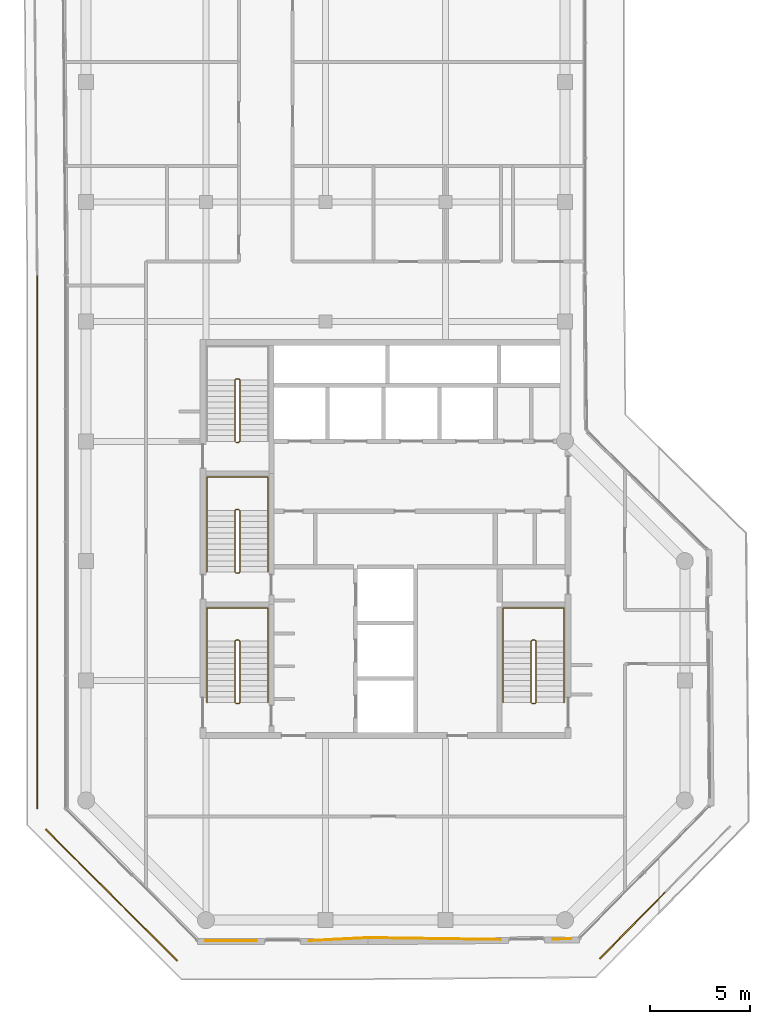
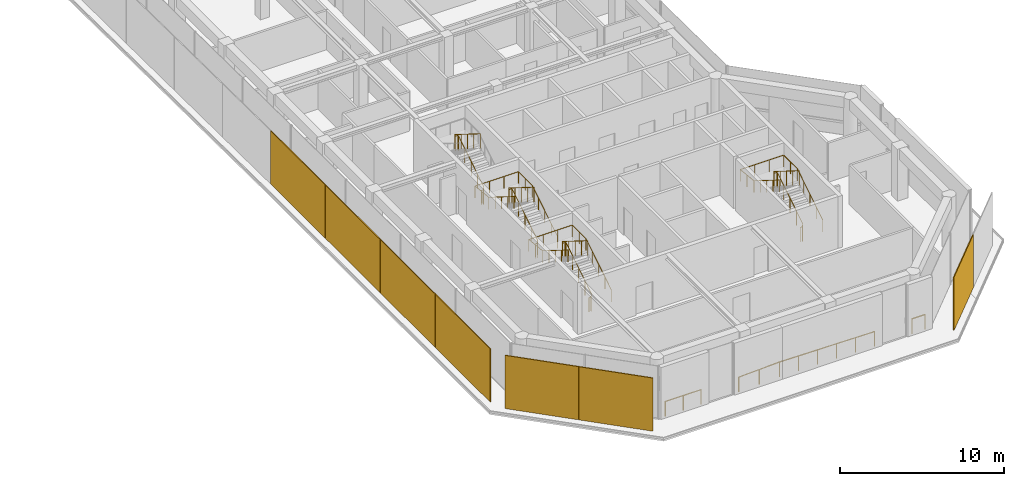
# One storey, part 17 of 18: 10 railings, 7 coverings.
"""IFC4 building model written with IfcOpenShell, lengths in metres."""

from ifc_helpers import new_model, si_unit, direction, frame, origin, origin_2d, place, context, subcontext, project, spatial, rectangle, circle, extrude, material, layer, layer_set, type_object, element, save


model = new_model("IFC4")

# Units and contexts
model_context = context("Model", 3, precision=1e-05, world=origin(), true_north=direction((0.0, 1.0)))
body_context = subcontext(model_context, "Body", "Model", "MODEL_VIEW")
ifc_project = project(units=[si_unit("LENGTHUNIT", "METRE"), si_unit("AREAUNIT", "SQUARE_METRE"), si_unit("VOLUMEUNIT", "CUBIC_METRE"), si_unit("PLANEANGLEUNIT", "RADIAN"), si_unit("MASSUNIT", "GRAM", prefix="KILO")], contexts=[model_context])

# Site, building, storey
site_placement = place(None, origin())
site = spatial("IfcSite", under=ifc_project, at=site_placement, CompositionType="ELEMENT")
building_placement = place(site_placement, origin())
building = spatial("IfcBuilding", under=site, at=building_placement, Name="Welwitschia Terrace Campus", CompositionType="ELEMENT")
storey_placement = place(building_placement, frame((0.0, 0.0, 289.39990234375)))
storey = spatial("IfcBuildingStorey", under=building, at=storey_placement, Name="L64", CompositionType="ELEMENT", Elevation=289.39990234375)

# Coverings
ifc_material_1 = material(Name="Bronze mesh aluminium screen", Category="aluminium")
ifc_layer = layer(ifc_material_1, 0.06005859375)
ifc_layer_set = layer_set([ifc_layer], Name="Bronze mesh aluminium screen")
covering_type = type_object("IfcCoveringType", Name="Bronze screen 60", PredefinedType="USERDEFINED", material=ifc_layer_set)
for number, where, z_axis, x_axis, name in (
    (1, (-2.4599609375, 24.97900390625, 0.0), (0.0, 0.0, 1.0), (0.0, -1.0, 0.0), "Screen L64.1.0"),
    (2, (-2.4599609375, 18.291748046875, 0.0), (0.0, 0.0, 1.0), (0.0, -1.0, 0.0), "Screen L64.1.1"),
    (3, (-2.4599609375, 11.604248046875, 0.0), (0.0, 0.0, 1.0), (0.0, -1.0, 0.0), "Screen L64.1.2"),
    (4, (-2.4599609375, 4.9169921875, 0.0), (0.0, 0.0, 1.0), (0.0, -1.0, 0.0), "Screen L64.1.3"),
):
    element("IfcCovering", number, at=place(storey_placement, frame(where, z_axis=z_axis, x_axis=x_axis)), inside=storey, type_object=covering_type, Name=name, ObjectType="SCREEN", PredefinedType="USERDEFINED", context=body_context, shape_type="SweptSolid", body=[
        extrude(rectangle(XDim=6.667236328125, YDim=0.06005859375, at=origin_2d()), origin(), (0.0, 0.0, 1.0), 3.949951171875),
    ])
for number, where, z_axis, x_axis, name in (
    (5, (-0.390380859375, -1.088623046875, 0.0), (0.0, 0.0, 1.0), (0.707106781187, -0.707106781187, 0.0), "Screen L64.2.0"),
    (6, (2.911376953125, -4.390380859375, 0.0), (0.0, 0.0, 1.0), (0.707106781187, -0.707106781187, 0.0), "Screen L64.2.1"),
    (7, (27.374267578125, -4.274658203125, 0.0), (0.0, 0.0, 1.0), (0.7009092643, 0.713250449154, 0.0), "Screen L64.5.0"),
):
    element("IfcCovering", number, at=place(storey_placement, frame(where, z_axis=z_axis, x_axis=x_axis)), inside=storey, type_object=covering_type, Name=name, ObjectType="SCREEN", PredefinedType="USERDEFINED", context=body_context, shape_type="SweptSolid", body=[
        extrude(rectangle(XDim=4.6494140625, YDim=0.06005859375, at=origin_2d()), origin(), (0.0, 0.0, 1.0), 3.949951171875),
    ])

# Railings
ifc_material_2 = material(Name="Stainless steel grade 316", Category="steel")
railing_type_1 = type_object("IfcRailingType", Name="Guard 1100", PredefinedType="GUARDRAIL", material=ifc_material_2)
railing_1_placement = place(storey_placement, frame((8.5224609375, -5.030029296875, 0.0)))
element("IfcRailing", 8, at=railing_1_placement, inside=storey, type_object=railing_type_1, Name="Guard floor edge L64.1", PredefinedType="GUARDRAIL", context=body_context, shape_type="SweptSolid", body=[
    extrude(circle(Radius=0.02392578125, at=origin_2d()), frame((0.0, 0.0, 1.076171875), z_axis=(-1.0, 0.0, 0.0), x_axis=(0.0, -1.0, 0.0)), (0.0, 0.0, 1.0), 2.525390625),
    extrude(circle(Radius=0.02099609375, at=origin_2d()), origin(), (0.0, 0.0, 1.0), 1.052001953125),
    extrude(circle(Radius=0.02099609375, at=origin_2d()), frame((-1.2626953125, 0.0, 0.0)), (0.0, 0.0, 1.0), 1.052001953125),
    extrude(circle(Radius=0.02099609375, at=origin_2d()), frame((-2.525390625, 0.0, 0.0)), (0.0, 0.0, 1.0), 1.052001953125),
])
railing_2_placement = place(storey_placement, frame((20.744384765625, -4.97216796875, 0.0)))
element("IfcRailing", 9, at=railing_2_placement, inside=storey, type_object=railing_type_1, Name="Guard floor edge L64.3", PredefinedType="GUARDRAIL", context=body_context, shape_type="SweptSolid", body=[
    extrude(circle(Radius=0.02392578125, at=origin_2d()), frame((0.0, 0.0, 1.076171875), z_axis=(-0.9999030297, 0.013925918176, 0.0), x_axis=(-0.013925918176, -0.9999030297, 0.0)), (0.0, 0.0, 1.0), 6.626953125),
    extrude(circle(Radius=0.02392578125, at=origin_2d()), frame((-6.626220703125, 0.09228515625, 1.076171875), z_axis=(-0.998705714046, -0.050861544728, 0.0), x_axis=(0.050861544728, -0.998705714046, 0.0)), (0.0, 0.0, 1.0), 2.9521484375),
    extrude(circle(Radius=0.02099609375, at=origin_2d()), origin(), (0.0, 0.0, 1.0), 1.052001953125),
    extrude(circle(Radius=0.02099609375, at=origin_2d()), frame((-1.3251953125, 0.0185546875, 0.0)), (0.0, 0.0, 1.0), 1.052001953125),
    extrude(circle(Radius=0.02099609375, at=origin_2d()), frame((-2.650390625, 0.036865234375, 0.0)), (0.0, 0.0, 1.0), 1.052001953125),
    extrude(circle(Radius=0.02099609375, at=origin_2d()), frame((-3.975830078125, 0.055419921875, 0.0)), (0.0, 0.0, 1.0), 1.052001953125),
    extrude(circle(Radius=0.02099609375, at=origin_2d()), frame((-5.301025390625, 0.07373046875, 0.0)), (0.0, 0.0, 1.0), 1.052001953125),
    extrude(circle(Radius=0.02099609375, at=origin_2d()), frame((-6.626220703125, 0.09228515625, 0.0)), (0.0, 0.0, 1.0), 1.052001953125),
    extrude(circle(Radius=0.02099609375, at=origin_2d()), frame((-8.100341796875, 0.01708984375, 0.0)), (0.0, 0.0, 1.0), 1.052001953125),
    extrude(circle(Radius=0.02099609375, at=origin_2d()), frame((-9.574462890625, -0.057861328125, 0.0)), (0.0, 0.0, 1.0), 1.052001953125),
])
railing_3_placement = place(storey_placement, frame((24.294189453125, -4.941162109375, 0.0)))
element("IfcRailing", 10, at=railing_3_placement, inside=storey, type_object=railing_type_1, Name="Guard floor edge L64.5", PredefinedType="GUARDRAIL", context=body_context, shape_type="SweptSolid", body=[
    extrude(circle(Radius=0.02392578125, at=origin_2d()), frame((0.0, 0.0, 1.076171875), z_axis=(-0.999960142689, -0.00892821556, 0.0), x_axis=(0.00892821556, -0.999960142689, 0.0)), (0.0, 0.0, 1.0), 0.90234375),
    extrude(circle(Radius=0.02099609375, at=origin_2d()), origin(), (0.0, 0.0, 1.0), 1.052001953125),
    extrude(circle(Radius=0.02099609375, at=origin_2d()), frame((-0.90234375, -0.008056640625, 0.0)), (0.0, 0.0, 1.0), 1.052001953125),
])
ifc_material_3 = material(Name="Steel S355", Category="steel")
railing_type_2 = type_object("IfcRailingType", Name="Stair guard 1100", PredefinedType="GUARDRAIL", material=ifc_material_3)
railing_4_placement = place(storey_placement, frame((7.5, 6.85009765625, 0.0)))
element("IfcRailing", 11, at=railing_4_placement, inside=storey, type_object=railing_type_2, Name="L64 S1 stair guard", PredefinedType="GUARDRAIL", context=body_context, shape_type="SweptSolid", body=[
    extrude(circle(Radius=0.02392578125, at=origin_2d()), frame((0.0, 0.0, 1.076171875), z_axis=(1.0, 0.0, 0.0), x_axis=(0.0, 1.0, 0.0)), (0.0, 0.0, 1.0), 0.14990234375),
    extrude(circle(Radius=0.02392578125, at=origin_2d()), frame((0.14990234375, 0.0, 1.076171875), z_axis=(0.265155923931, 0.263862480399, 0.927399011991), x_axis=(-0.705375805398, 0.708833529934, 0.0)), (0.0, 0.0, 1.0), 0.188720703125),
    extrude(circle(Radius=0.02392578125, at=origin_2d()), frame((0.199951171875, 0.0498046875, 1.2509765625), z_axis=(0.0, 0.847998304005, 0.529998940003), x_axis=(-1.0, 0.0, 0.0)), (0.0, 0.0, 1.0), 3.632080078125),
    extrude(circle(Radius=0.02392578125, at=origin_2d()), frame((0.199951171875, 3.1298828125, 3.17626953125), z_axis=(-0.707106781187, 0.707106781187, 0.0), x_axis=(-0.707106781187, -0.707106781187, 0.0)), (0.0, 0.0, 1.0), 0.07080078125),
    extrude(circle(Radius=0.02392578125, at=origin_2d()), frame((0.14990234375, 3.179931640625, 3.17626953125), z_axis=(-1.0, 0.0, 0.0), x_axis=(0.0, -1.0, 0.0)), (0.0, 0.0, 1.0), 0.14990234375),
    extrude(circle(Radius=0.02392578125, at=origin_2d()), frame((0.0, 3.179931640625, 3.17626953125), z_axis=(-0.265065253269, -0.265065253269, 0.927081885822), x_axis=(0.707106781187, -0.707106781187, 0.0)), (0.0, 0.0, 1.0), 0.188720703125),
    extrude(circle(Radius=0.02392578125, at=origin_2d()), frame((-0.050048828125, 3.1298828125, 3.35107421875), z_axis=(0.0, -0.847998304005, 0.529998940003), x_axis=(1.0, 0.0, 0.0)), (0.0, 0.0, 1.0), 3.632080078125),
    extrude(circle(Radius=0.02099609375, at=origin_2d()), origin(), (0.0, 0.0, 1.0), 1.052001953125),
    extrude(circle(Radius=0.02099609375, at=origin_2d()), frame((0.14990234375, 0.0, 0.0)), (0.0, 0.0, 1.0), 1.052001953125),
    extrude(circle(Radius=0.02099609375, at=origin_2d()), frame((0.199951171875, 0.0498046875, 0.175048828125)), (0.0, 0.0, 1.0), 1.052001953125),
    extrude(circle(Radius=0.02099609375, at=origin_2d()), frame((0.199951171875, 0.81982421875, 0.65625)), (0.0, 0.0, 1.0), 1.052001953125),
    extrude(circle(Radius=0.02099609375, at=origin_2d()), frame((0.199951171875, 1.58984375, 1.1376953125)), (0.0, 0.0, 1.0), 1.052001953125),
    extrude(circle(Radius=0.02099609375, at=origin_2d()), frame((0.199951171875, 2.35986328125, 1.618896484375)), (0.0, 0.0, 1.0), 1.052001953125),
    extrude(circle(Radius=0.02099609375, at=origin_2d()), frame((0.199951171875, 3.1298828125, 2.10009765625)), (0.0, 0.0, 1.0), 1.052001953125),
    extrude(circle(Radius=0.02099609375, at=origin_2d()), frame((0.14990234375, 3.179931640625, 2.10009765625)), (0.0, 0.0, 1.0), 1.052001953125),
    extrude(circle(Radius=0.02099609375, at=origin_2d()), frame((0.0, 3.179931640625, 2.10009765625)), (0.0, 0.0, 1.0), 1.052001953125),
    extrude(circle(Radius=0.02099609375, at=origin_2d()), frame((-0.050048828125, 3.1298828125, 2.275146484375)), (0.0, 0.0, 1.0), 1.052001953125),
    extrude(circle(Radius=0.02099609375, at=origin_2d()), frame((-0.050048828125, 2.35986328125, 2.75634765625)), (0.0, 0.0, 1.0), 1.052001953125),
    extrude(circle(Radius=0.02099609375, at=origin_2d()), frame((-0.050048828125, 1.58984375, 3.23779296875)), (0.0, 0.0, 1.0), 1.052001953125),
    extrude(circle(Radius=0.02099609375, at=origin_2d()), frame((-0.050048828125, 0.81982421875, 3.718994140625)), (0.0, 0.0, 1.0), 1.052001953125),
    extrude(circle(Radius=0.02099609375, at=origin_2d()), frame((-0.050048828125, 0.0498046875, 4.2001953125)), (0.0, 0.0, 1.0), 1.052001953125),
])
railing_5_placement = place(storey_placement, frame((7.5, 13.39990234375, 0.0)))
element("IfcRailing", 12, at=railing_5_placement, inside=storey, type_object=railing_type_2, Name="L64 S3 stair guard", PredefinedType="GUARDRAIL", context=body_context, shape_type="SweptSolid", body=[
    extrude(circle(Radius=0.02392578125, at=origin_2d()), frame((0.0, 0.0, 1.076171875), z_axis=(1.0, 0.0, 0.0), x_axis=(0.0, 1.0, 0.0)), (0.0, 0.0, 1.0), 0.14990234375),
    extrude(circle(Radius=0.02392578125, at=origin_2d()), frame((0.14990234375, 0.0, 1.076171875), z_axis=(0.265065253269, 0.265065253269, 0.927081885822), x_axis=(-0.707106781187, 0.707106781187, 0.0)), (0.0, 0.0, 1.0), 0.188720703125),
    extrude(circle(Radius=0.02392578125, at=origin_2d()), frame((0.199951171875, 0.050048828125, 1.2509765625), z_axis=(0.0, 0.847998304005, 0.529998940003), x_axis=(-1.0, 0.0, 0.0)), (0.0, 0.0, 1.0), 3.632080078125),
    extrude(circle(Radius=0.02392578125, at=origin_2d()), frame((0.199951171875, 3.130126953125, 3.17626953125), z_axis=(-0.707106781187, 0.707106781187, 0.0), x_axis=(-0.707106781187, -0.707106781187, 0.0)), (0.0, 0.0, 1.0), 0.07080078125),
    extrude(circle(Radius=0.02392578125, at=origin_2d()), frame((0.14990234375, 3.18017578125, 3.17626953125), z_axis=(-1.0, 0.0, 0.0), x_axis=(0.0, -1.0, 0.0)), (0.0, 0.0, 1.0), 0.14990234375),
    extrude(circle(Radius=0.02392578125, at=origin_2d()), frame((0.0, 3.18017578125, 3.17626953125), z_axis=(-0.265065253269, -0.265065253269, 0.927081885822), x_axis=(0.707106781187, -0.707106781187, 0.0)), (0.0, 0.0, 1.0), 0.188720703125),
    extrude(circle(Radius=0.02392578125, at=origin_2d()), frame((-0.050048828125, 3.130126953125, 3.35107421875), z_axis=(0.0, -0.847998304005, 0.529998940003), x_axis=(1.0, 0.0, 0.0)), (0.0, 0.0, 1.0), 3.632080078125),
    extrude(circle(Radius=0.02099609375, at=origin_2d()), origin(), (0.0, 0.0, 1.0), 1.052001953125),
    extrude(circle(Radius=0.02099609375, at=origin_2d()), frame((0.14990234375, 0.0, 0.0)), (0.0, 0.0, 1.0), 1.052001953125),
    extrude(circle(Radius=0.02099609375, at=origin_2d()), frame((0.199951171875, 0.050048828125, 0.175048828125)), (0.0, 0.0, 1.0), 1.052001953125),
    extrude(circle(Radius=0.02099609375, at=origin_2d()), frame((0.199951171875, 0.820068359375, 0.65625)), (0.0, 0.0, 1.0), 1.052001953125),
    extrude(circle(Radius=0.02099609375, at=origin_2d()), frame((0.199951171875, 1.590087890625, 1.1376953125)), (0.0, 0.0, 1.0), 1.052001953125),
    extrude(circle(Radius=0.02099609375, at=origin_2d()), frame((0.199951171875, 2.360107421875, 1.618896484375)), (0.0, 0.0, 1.0), 1.052001953125),
    extrude(circle(Radius=0.02099609375, at=origin_2d()), frame((0.199951171875, 3.130126953125, 2.10009765625)), (0.0, 0.0, 1.0), 1.052001953125),
    extrude(circle(Radius=0.02099609375, at=origin_2d()), frame((0.14990234375, 3.18017578125, 2.10009765625)), (0.0, 0.0, 1.0), 1.052001953125),
    extrude(circle(Radius=0.02099609375, at=origin_2d()), frame((0.0, 3.18017578125, 2.10009765625)), (0.0, 0.0, 1.0), 1.052001953125),
    extrude(circle(Radius=0.02099609375, at=origin_2d()), frame((-0.050048828125, 3.130126953125, 2.275146484375)), (0.0, 0.0, 1.0), 1.052001953125),
    extrude(circle(Radius=0.02099609375, at=origin_2d()), frame((-0.050048828125, 2.360107421875, 2.75634765625)), (0.0, 0.0, 1.0), 1.052001953125),
    extrude(circle(Radius=0.02099609375, at=origin_2d()), frame((-0.050048828125, 1.590087890625, 3.23779296875)), (0.0, 0.0, 1.0), 1.052001953125),
    extrude(circle(Radius=0.02099609375, at=origin_2d()), frame((-0.050048828125, 0.820068359375, 3.718994140625)), (0.0, 0.0, 1.0), 1.052001953125),
    extrude(circle(Radius=0.02099609375, at=origin_2d()), frame((-0.050048828125, 0.050048828125, 4.2001953125)), (0.0, 0.0, 1.0), 1.052001953125),
])
railing_6_placement = place(storey_placement, frame((7.5, 19.949951171875, 0.0)))
element("IfcRailing", 13, at=railing_6_placement, inside=storey, type_object=railing_type_2, Name="L64 S4 stair guard", PredefinedType="GUARDRAIL", context=body_context, shape_type="SweptSolid", body=[
    extrude(circle(Radius=0.02392578125, at=origin_2d()), frame((0.0, 0.0, 1.076171875), z_axis=(1.0, 0.0, 0.0), x_axis=(0.0, 1.0, 0.0)), (0.0, 0.0, 1.0), 0.14990234375),
    extrude(circle(Radius=0.02392578125, at=origin_2d()), frame((0.14990234375, 0.0, 1.076171875), z_axis=(0.265065253269, 0.265065253269, 0.927081885822), x_axis=(-0.707106781187, 0.707106781187, 0.0)), (0.0, 0.0, 1.0), 0.188720703125),
    extrude(circle(Radius=0.02392578125, at=origin_2d()), frame((0.199951171875, 0.050048828125, 1.2509765625), z_axis=(0.0, 0.847998304005, 0.529998940003), x_axis=(-1.0, 0.0, 0.0)), (0.0, 0.0, 1.0), 3.632080078125),
    extrude(circle(Radius=0.02392578125, at=origin_2d()), frame((0.199951171875, 3.130126953125, 3.17626953125), z_axis=(-0.708833529934, 0.705375805398, 0.0), x_axis=(-0.705375805398, -0.708833529934, 0.0)), (0.0, 0.0, 1.0), 0.070556640625),
    extrude(circle(Radius=0.02392578125, at=origin_2d()), frame((0.14990234375, 3.179931640625, 3.17626953125), z_axis=(-1.0, 0.0, 0.0), x_axis=(0.0, -1.0, 0.0)), (0.0, 0.0, 1.0), 0.14990234375),
    extrude(circle(Radius=0.02392578125, at=origin_2d()), frame((0.0, 3.179931640625, 3.17626953125), z_axis=(-0.265155923931, -0.263862480399, 0.927399011991), x_axis=(0.705375805398, -0.708833529934, 0.0)), (0.0, 0.0, 1.0), 0.188720703125),
    extrude(circle(Radius=0.02392578125, at=origin_2d()), frame((-0.050048828125, 3.130126953125, 3.35107421875), z_axis=(0.0, -0.847998304005, 0.529998940003), x_axis=(1.0, 0.0, 0.0)), (0.0, 0.0, 1.0), 3.632080078125),
    extrude(circle(Radius=0.02099609375, at=origin_2d()), origin(), (0.0, 0.0, 1.0), 1.052001953125),
    extrude(circle(Radius=0.02099609375, at=origin_2d()), frame((0.14990234375, 0.0, 0.0)), (0.0, 0.0, 1.0), 1.052001953125),
    extrude(circle(Radius=0.02099609375, at=origin_2d()), frame((0.199951171875, 0.050048828125, 0.175048828125)), (0.0, 0.0, 1.0), 1.052001953125),
    extrude(circle(Radius=0.02099609375, at=origin_2d()), frame((0.199951171875, 0.820068359375, 0.65625)), (0.0, 0.0, 1.0), 1.052001953125),
    extrude(circle(Radius=0.02099609375, at=origin_2d()), frame((0.199951171875, 1.590087890625, 1.1376953125)), (0.0, 0.0, 1.0), 1.052001953125),
    extrude(circle(Radius=0.02099609375, at=origin_2d()), frame((0.199951171875, 2.360107421875, 1.618896484375)), (0.0, 0.0, 1.0), 1.052001953125),
    extrude(circle(Radius=0.02099609375, at=origin_2d()), frame((0.199951171875, 3.130126953125, 2.10009765625)), (0.0, 0.0, 1.0), 1.052001953125),
    extrude(circle(Radius=0.02099609375, at=origin_2d()), frame((0.14990234375, 3.179931640625, 2.10009765625)), (0.0, 0.0, 1.0), 1.052001953125),
    extrude(circle(Radius=0.02099609375, at=origin_2d()), frame((0.0, 3.179931640625, 2.10009765625)), (0.0, 0.0, 1.0), 1.052001953125),
    extrude(circle(Radius=0.02099609375, at=origin_2d()), frame((-0.050048828125, 3.130126953125, 2.275146484375)), (0.0, 0.0, 1.0), 1.052001953125),
    extrude(circle(Radius=0.02099609375, at=origin_2d()), frame((-0.050048828125, 2.360107421875, 2.75634765625)), (0.0, 0.0, 1.0), 1.052001953125),
    extrude(circle(Radius=0.02099609375, at=origin_2d()), frame((-0.050048828125, 1.590087890625, 3.23779296875)), (0.0, 0.0, 1.0), 1.052001953125),
    extrude(circle(Radius=0.02099609375, at=origin_2d()), frame((-0.050048828125, 0.820068359375, 3.718994140625)), (0.0, 0.0, 1.0), 1.052001953125),
    extrude(circle(Radius=0.02099609375, at=origin_2d()), frame((-0.050048828125, 0.050048828125, 4.2001953125)), (0.0, 0.0, 1.0), 1.052001953125),
])
railing_7_placement = place(storey_placement, frame((22.35009765625, 6.85009765625, 0.0)))
element("IfcRailing", 14, at=railing_7_placement, inside=storey, type_object=railing_type_2, Name="L64 S2 stair guard", PredefinedType="GUARDRAIL", context=body_context, shape_type="SweptSolid", body=[
    extrude(circle(Radius=0.02392578125, at=origin_2d()), frame((0.0, 0.0, 1.076171875), z_axis=(1.0, 0.0, 0.0), x_axis=(0.0, 1.0, 0.0)), (0.0, 0.0, 1.0), 0.14990234375),
    extrude(circle(Radius=0.02392578125, at=origin_2d()), frame((0.14990234375, 0.0, 1.076171875), z_axis=(0.265155923931, 0.263862480399, 0.927399011991), x_axis=(-0.705375805398, 0.708833529934, 0.0)), (0.0, 0.0, 1.0), 0.188720703125),
    extrude(circle(Radius=0.02392578125, at=origin_2d()), frame((0.199951171875, 0.0498046875, 1.2509765625), z_axis=(0.0, 0.847998304005, 0.529998940003), x_axis=(-1.0, 0.0, 0.0)), (0.0, 0.0, 1.0), 3.632080078125),
    extrude(circle(Radius=0.02392578125, at=origin_2d()), frame((0.199951171875, 3.1298828125, 3.17626953125), z_axis=(-0.707106781187, 0.707106781187, 0.0), x_axis=(-0.707106781187, -0.707106781187, 0.0)), (0.0, 0.0, 1.0), 0.07080078125),
    extrude(circle(Radius=0.02392578125, at=origin_2d()), frame((0.14990234375, 3.179931640625, 3.17626953125), z_axis=(-1.0, 0.0, 0.0), x_axis=(0.0, -1.0, 0.0)), (0.0, 0.0, 1.0), 0.14990234375),
    extrude(circle(Radius=0.02392578125, at=origin_2d()), frame((0.0, 3.179931640625, 3.17626953125), z_axis=(-0.265065253269, -0.265065253269, 0.927081885822), x_axis=(0.707106781187, -0.707106781187, 0.0)), (0.0, 0.0, 1.0), 0.188720703125),
    extrude(circle(Radius=0.02392578125, at=origin_2d()), frame((-0.050048828125, 3.1298828125, 3.35107421875), z_axis=(0.0, -0.847998304005, 0.529998940003), x_axis=(1.0, 0.0, 0.0)), (0.0, 0.0, 1.0), 3.632080078125),
    extrude(circle(Radius=0.02099609375, at=origin_2d()), origin(), (0.0, 0.0, 1.0), 1.052001953125),
    extrude(circle(Radius=0.02099609375, at=origin_2d()), frame((0.14990234375, 0.0, 0.0)), (0.0, 0.0, 1.0), 1.052001953125),
    extrude(circle(Radius=0.02099609375, at=origin_2d()), frame((0.199951171875, 0.0498046875, 0.175048828125)), (0.0, 0.0, 1.0), 1.052001953125),
    extrude(circle(Radius=0.02099609375, at=origin_2d()), frame((0.199951171875, 0.81982421875, 0.65625)), (0.0, 0.0, 1.0), 1.052001953125),
    extrude(circle(Radius=0.02099609375, at=origin_2d()), frame((0.199951171875, 1.58984375, 1.1376953125)), (0.0, 0.0, 1.0), 1.052001953125),
    extrude(circle(Radius=0.02099609375, at=origin_2d()), frame((0.199951171875, 2.35986328125, 1.618896484375)), (0.0, 0.0, 1.0), 1.052001953125),
    extrude(circle(Radius=0.02099609375, at=origin_2d()), frame((0.199951171875, 3.1298828125, 2.10009765625)), (0.0, 0.0, 1.0), 1.052001953125),
    extrude(circle(Radius=0.02099609375, at=origin_2d()), frame((0.14990234375, 3.179931640625, 2.10009765625)), (0.0, 0.0, 1.0), 1.052001953125),
    extrude(circle(Radius=0.02099609375, at=origin_2d()), frame((0.0, 3.179931640625, 2.10009765625)), (0.0, 0.0, 1.0), 1.052001953125),
    extrude(circle(Radius=0.02099609375, at=origin_2d()), frame((-0.050048828125, 3.1298828125, 2.275146484375)), (0.0, 0.0, 1.0), 1.052001953125),
    extrude(circle(Radius=0.02099609375, at=origin_2d()), frame((-0.050048828125, 2.35986328125, 2.75634765625)), (0.0, 0.0, 1.0), 1.052001953125),
    extrude(circle(Radius=0.02099609375, at=origin_2d()), frame((-0.050048828125, 1.58984375, 3.23779296875)), (0.0, 0.0, 1.0), 1.052001953125),
    extrude(circle(Radius=0.02099609375, at=origin_2d()), frame((-0.050048828125, 0.81982421875, 3.718994140625)), (0.0, 0.0, 1.0), 1.052001953125),
    extrude(circle(Radius=0.02099609375, at=origin_2d()), frame((-0.050048828125, 0.0498046875, 4.2001953125)), (0.0, 0.0, 1.0), 1.052001953125),
])
ifc_material_4 = material(Name="Steel S355", Category="steel")
railing_type_3 = type_object("IfcRailingType", Name="Stair handrail 900", PredefinedType="HANDRAIL", material=ifc_material_4)
railing_8_placement = place(storey_placement, frame((9.10009765625, 6.89990234375, 0.175048828125)))
element("IfcRailing", 15, at=railing_8_placement, inside=storey, type_object=railing_type_3, Name="L64 S1 stair handrail", PredefinedType="HANDRAIL", context=body_context, shape_type="SweptSolid", body=[
    extrude(circle(Radius=0.02392578125, at=origin_2d()), frame((0.0, 0.0, 0.8759765625), z_axis=(0.0, 0.847998304005, 0.529998940003), x_axis=(-1.0, 0.0, 0.0)), (0.0, 0.0, 1.0), 3.632080078125),
    extrude(circle(Radius=0.02392578125, at=origin_2d()), frame((0.0, 3.080078125, 2.80078125), z_axis=(0.0, 1.0, 0.0), x_axis=(-1.0, 0.0, 0.0)), (0.0, 0.0, 1.0), 1.669921875),
    extrude(circle(Radius=0.02392578125, at=origin_2d()), frame((0.0, 4.75, 2.80078125), z_axis=(-1.0, 0.0, 0.0), x_axis=(0.0, -1.0, 0.0)), (0.0, 0.0, 1.0), 3.050048828125),
    extrude(circle(Radius=0.02392578125, at=origin_2d()), frame((-3.050048828125, 4.75, 2.80078125), z_axis=(0.0, -0.99455077262, 0.104253348533), x_axis=(1.0, 0.0, 0.0)), (0.0, 0.0, 1.0), 1.678955078125),
    extrude(circle(Radius=0.02392578125, at=origin_2d()), frame((-3.050048828125, 3.080078125, 2.97607421875), z_axis=(0.0, -0.847998304005, 0.529998940003), x_axis=(1.0, 0.0, 0.0)), (0.0, 0.0, 1.0), 3.632080078125),
    extrude(circle(Radius=0.02099609375, at=origin_2d()), origin(), (0.0, 0.0, 1.0), 0.851806640625),
    extrude(circle(Radius=0.02099609375, at=origin_2d()), frame((0.0, 0.77001953125, 0.481201171875)), (0.0, 0.0, 1.0), 0.851806640625),
    extrude(circle(Radius=0.02099609375, at=origin_2d()), frame((0.0, 1.5400390625, 0.96240234375)), (0.0, 0.0, 1.0), 0.851806640625),
    extrude(circle(Radius=0.02099609375, at=origin_2d()), frame((0.0, 2.31005859375, 1.44384765625)), (0.0, 0.0, 1.0), 0.851806640625),
    extrude(circle(Radius=0.02099609375, at=origin_2d()), frame((0.0, 3.080078125, 1.925048828125)), (0.0, 0.0, 1.0), 0.851806640625),
    extrude(circle(Radius=0.02099609375, at=origin_2d()), frame((0.0, 3.9150390625, 1.925048828125)), (0.0, 0.0, 1.0), 0.851806640625),
    extrude(circle(Radius=0.02099609375, at=origin_2d()), frame((0.0, 4.75, 1.925048828125)), (0.0, 0.0, 1.0), 0.851806640625),
    extrude(circle(Radius=0.02099609375, at=origin_2d()), frame((-1.0166015625, 4.75, 1.925048828125)), (0.0, 0.0, 1.0), 0.851806640625),
    extrude(circle(Radius=0.02099609375, at=origin_2d()), frame((-2.033447265625, 4.75, 1.925048828125)), (0.0, 0.0, 1.0), 0.851806640625),
    extrude(circle(Radius=0.02099609375, at=origin_2d()), frame((-3.050048828125, 4.75, 1.925048828125)), (0.0, 0.0, 1.0), 0.851806640625),
    extrude(circle(Radius=0.02099609375, at=origin_2d()), frame((-3.050048828125, 3.9150390625, 2.0126953125)), (0.0, 0.0, 1.0), 0.851806640625),
    extrude(circle(Radius=0.02099609375, at=origin_2d()), frame((-3.050048828125, 3.080078125, 2.10009765625)), (0.0, 0.0, 1.0), 0.851806640625),
    extrude(circle(Radius=0.02099609375, at=origin_2d()), frame((-3.050048828125, 2.31005859375, 2.581298828125)), (0.0, 0.0, 1.0), 0.851806640625),
    extrude(circle(Radius=0.02099609375, at=origin_2d()), frame((-3.050048828125, 1.5400390625, 3.0625)), (0.0, 0.0, 1.0), 0.851806640625),
    extrude(circle(Radius=0.02099609375, at=origin_2d()), frame((-3.050048828125, 0.77001953125, 3.5439453125)), (0.0, 0.0, 1.0), 0.851806640625),
    extrude(circle(Radius=0.02099609375, at=origin_2d()), frame((-3.050048828125, 0.0, 4.025146484375)), (0.0, 0.0, 1.0), 0.851806640625),
])
railing_9_placement = place(storey_placement, frame((9.10009765625, 13.449951171875, 0.175048828125)))
element("IfcRailing", 16, at=railing_9_placement, inside=storey, type_object=railing_type_3, Name="L64 S3 stair handrail", PredefinedType="HANDRAIL", context=body_context, shape_type="SweptSolid", body=[
    extrude(circle(Radius=0.02392578125, at=origin_2d()), frame((0.0, 0.0, 0.8759765625), z_axis=(0.0, 0.847998304005, 0.529998940003), x_axis=(-1.0, 0.0, 0.0)), (0.0, 0.0, 1.0), 3.632080078125),
    extrude(circle(Radius=0.02392578125, at=origin_2d()), frame((0.0, 3.080078125, 2.80078125), z_axis=(0.0, 1.0, 0.0), x_axis=(-1.0, 0.0, 0.0)), (0.0, 0.0, 1.0), 1.669921875),
    extrude(circle(Radius=0.02392578125, at=origin_2d()), frame((0.0, 4.75, 2.80078125), z_axis=(-1.0, 0.0, 0.0), x_axis=(0.0, -1.0, 0.0)), (0.0, 0.0, 1.0), 3.050048828125),
    extrude(circle(Radius=0.02392578125, at=origin_2d()), frame((-3.050048828125, 4.75, 2.80078125), z_axis=(0.0, -0.99455077262, 0.104253348533), x_axis=(1.0, 0.0, 0.0)), (0.0, 0.0, 1.0), 1.678955078125),
    extrude(circle(Radius=0.02392578125, at=origin_2d()), frame((-3.050048828125, 3.080078125, 2.97607421875), z_axis=(0.0, -0.847998304005, 0.529998940003), x_axis=(1.0, 0.0, 0.0)), (0.0, 0.0, 1.0), 3.632080078125),
    extrude(circle(Radius=0.02099609375, at=origin_2d()), origin(), (0.0, 0.0, 1.0), 0.851806640625),
    extrude(circle(Radius=0.02099609375, at=origin_2d()), frame((0.0, 0.77001953125, 0.481201171875)), (0.0, 0.0, 1.0), 0.851806640625),
    extrude(circle(Radius=0.02099609375, at=origin_2d()), frame((0.0, 1.5400390625, 0.96240234375)), (0.0, 0.0, 1.0), 0.851806640625),
    extrude(circle(Radius=0.02099609375, at=origin_2d()), frame((0.0, 2.31005859375, 1.44384765625)), (0.0, 0.0, 1.0), 0.851806640625),
    extrude(circle(Radius=0.02099609375, at=origin_2d()), frame((0.0, 3.080078125, 1.925048828125)), (0.0, 0.0, 1.0), 0.851806640625),
    extrude(circle(Radius=0.02099609375, at=origin_2d()), frame((0.0, 3.9150390625, 1.925048828125)), (0.0, 0.0, 1.0), 0.851806640625),
    extrude(circle(Radius=0.02099609375, at=origin_2d()), frame((0.0, 4.75, 1.925048828125)), (0.0, 0.0, 1.0), 0.851806640625),
    extrude(circle(Radius=0.02099609375, at=origin_2d()), frame((-1.0166015625, 4.75, 1.925048828125)), (0.0, 0.0, 1.0), 0.851806640625),
    extrude(circle(Radius=0.02099609375, at=origin_2d()), frame((-2.033447265625, 4.75, 1.925048828125)), (0.0, 0.0, 1.0), 0.851806640625),
    extrude(circle(Radius=0.02099609375, at=origin_2d()), frame((-3.050048828125, 4.75, 1.925048828125)), (0.0, 0.0, 1.0), 0.851806640625),
    extrude(circle(Radius=0.02099609375, at=origin_2d()), frame((-3.050048828125, 3.9150390625, 2.0126953125)), (0.0, 0.0, 1.0), 0.851806640625),
    extrude(circle(Radius=0.02099609375, at=origin_2d()), frame((-3.050048828125, 3.080078125, 2.10009765625)), (0.0, 0.0, 1.0), 0.851806640625),
    extrude(circle(Radius=0.02099609375, at=origin_2d()), frame((-3.050048828125, 2.31005859375, 2.581298828125)), (0.0, 0.0, 1.0), 0.851806640625),
    extrude(circle(Radius=0.02099609375, at=origin_2d()), frame((-3.050048828125, 1.5400390625, 3.0625)), (0.0, 0.0, 1.0), 0.851806640625),
    extrude(circle(Radius=0.02099609375, at=origin_2d()), frame((-3.050048828125, 0.77001953125, 3.5439453125)), (0.0, 0.0, 1.0), 0.851806640625),
    extrude(circle(Radius=0.02099609375, at=origin_2d()), frame((-3.050048828125, 0.0, 4.025146484375)), (0.0, 0.0, 1.0), 0.851806640625),
])
railing_10_placement = place(storey_placement, frame((23.949951171875, 6.89990234375, 0.175048828125)))
element("IfcRailing", 17, at=railing_10_placement, inside=storey, type_object=railing_type_3, Name="L64 S2 stair handrail", PredefinedType="HANDRAIL", context=body_context, shape_type="SweptSolid", body=[
    extrude(circle(Radius=0.02392578125, at=origin_2d()), frame((0.0, 0.0, 0.8759765625), z_axis=(0.0, 0.847998304005, 0.529998940003), x_axis=(-1.0, 0.0, 0.0)), (0.0, 0.0, 1.0), 3.632080078125),
    extrude(circle(Radius=0.02392578125, at=origin_2d()), frame((0.0, 3.080078125, 2.80078125), z_axis=(0.0, 1.0, 0.0), x_axis=(-1.0, 0.0, 0.0)), (0.0, 0.0, 1.0), 1.669921875),
    extrude(circle(Radius=0.02392578125, at=origin_2d()), frame((0.0, 4.75, 2.80078125), z_axis=(-1.0, 0.0, 0.0), x_axis=(0.0, -1.0, 0.0)), (0.0, 0.0, 1.0), 3.050048828125),
    extrude(circle(Radius=0.02392578125, at=origin_2d()), frame((-3.050048828125, 4.75, 2.80078125), z_axis=(0.0, -0.99455077262, 0.104253348533), x_axis=(1.0, 0.0, 0.0)), (0.0, 0.0, 1.0), 1.678955078125),
    extrude(circle(Radius=0.02392578125, at=origin_2d()), frame((-3.050048828125, 3.080078125, 2.97607421875), z_axis=(0.0, -0.847998304005, 0.529998940003), x_axis=(1.0, 0.0, 0.0)), (0.0, 0.0, 1.0), 3.632080078125),
    extrude(circle(Radius=0.02099609375, at=origin_2d()), origin(), (0.0, 0.0, 1.0), 0.851806640625),
    extrude(circle(Radius=0.02099609375, at=origin_2d()), frame((0.0, 0.77001953125, 0.481201171875)), (0.0, 0.0, 1.0), 0.851806640625),
    extrude(circle(Radius=0.02099609375, at=origin_2d()), frame((0.0, 1.5400390625, 0.96240234375)), (0.0, 0.0, 1.0), 0.851806640625),
    extrude(circle(Radius=0.02099609375, at=origin_2d()), frame((0.0, 2.31005859375, 1.44384765625)), (0.0, 0.0, 1.0), 0.851806640625),
    extrude(circle(Radius=0.02099609375, at=origin_2d()), frame((0.0, 3.080078125, 1.925048828125)), (0.0, 0.0, 1.0), 0.851806640625),
    extrude(circle(Radius=0.02099609375, at=origin_2d()), frame((0.0, 3.9150390625, 1.925048828125)), (0.0, 0.0, 1.0), 0.851806640625),
    extrude(circle(Radius=0.02099609375, at=origin_2d()), frame((0.0, 4.75, 1.925048828125)), (0.0, 0.0, 1.0), 0.851806640625),
    extrude(circle(Radius=0.02099609375, at=origin_2d()), frame((-1.0166015625, 4.75, 1.925048828125)), (0.0, 0.0, 1.0), 0.851806640625),
    extrude(circle(Radius=0.02099609375, at=origin_2d()), frame((-2.033447265625, 4.75, 1.925048828125)), (0.0, 0.0, 1.0), 0.851806640625),
    extrude(circle(Radius=0.02099609375, at=origin_2d()), frame((-3.050048828125, 4.75, 1.925048828125)), (0.0, 0.0, 1.0), 0.851806640625),
    extrude(circle(Radius=0.02099609375, at=origin_2d()), frame((-3.050048828125, 3.9150390625, 2.0126953125)), (0.0, 0.0, 1.0), 0.851806640625),
    extrude(circle(Radius=0.02099609375, at=origin_2d()), frame((-3.050048828125, 3.080078125, 2.10009765625)), (0.0, 0.0, 1.0), 0.851806640625),
    extrude(circle(Radius=0.02099609375, at=origin_2d()), frame((-3.050048828125, 2.31005859375, 2.581298828125)), (0.0, 0.0, 1.0), 0.851806640625),
    extrude(circle(Radius=0.02099609375, at=origin_2d()), frame((-3.050048828125, 1.5400390625, 3.0625)), (0.0, 0.0, 1.0), 0.851806640625),
    extrude(circle(Radius=0.02099609375, at=origin_2d()), frame((-3.050048828125, 0.77001953125, 3.5439453125)), (0.0, 0.0, 1.0), 0.851806640625),
    extrude(circle(Radius=0.02099609375, at=origin_2d()), frame((-3.050048828125, 0.0, 4.025146484375)), (0.0, 0.0, 1.0), 0.851806640625),
])

save(model, "model.ifc")
